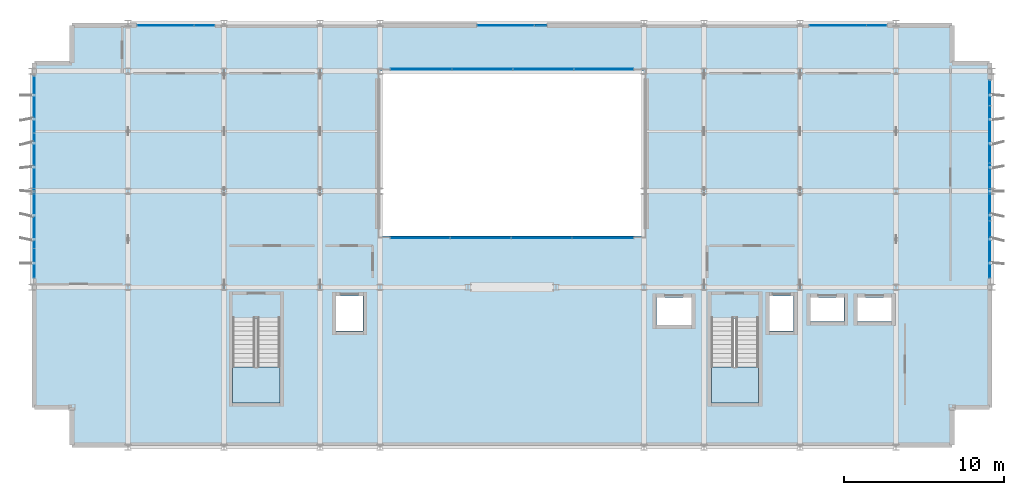
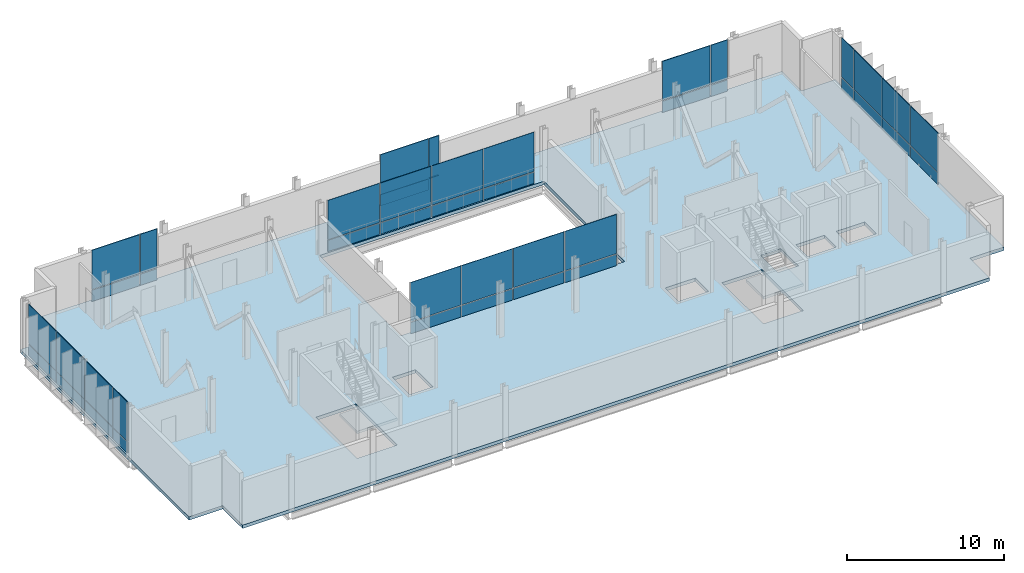
# One storey, part 24 of 33: 44 plates, 3 slabs, 1 member, 9 elements without a shape of their own.
"""IFC4 building model written with IfcOpenShell, lengths in metres."""

from ifc_helpers import new_model, si_unit, direction, frame, origin, origin_2d, place, context, subcontext, project, spatial, polyline, rectangle, hollow_rectangle, outline, extrude, material, layer, layer_set, material_profile, profile_set, type_object, element, aggregate, save


model = new_model("IFC4")

# Units and contexts
model_context = context("Model", 3, precision=1e-05, world=origin(), true_north=direction((0.0, 1.0)))
body_context = subcontext(model_context, "Body", "Model", "MODEL_VIEW")
ifc_project = project(units=[si_unit("LENGTHUNIT", "METRE"), si_unit("AREAUNIT", "SQUARE_METRE"), si_unit("VOLUMEUNIT", "CUBIC_METRE"), si_unit("PLANEANGLEUNIT", "RADIAN"), si_unit("MASSUNIT", "GRAM", prefix="KILO")], contexts=[model_context])

# Site, building, storey
site_placement = place(None, origin())
site = spatial("IfcSite", under=ifc_project, at=site_placement, CompositionType="ELEMENT")
building_placement = place(site_placement, origin())
building = spatial("IfcBuilding", under=site, at=building_placement, Name="Brevholm Reach", CompositionType="ELEMENT")
storey_placement = place(building_placement, frame((0.0, 0.0, 179.0)))
storey = spatial("IfcBuildingStorey", under=building, at=storey_placement, Name="L54", CompositionType="ELEMENT", Elevation=179.0)

# Curtain wall, member
ifc_material_1 = material(Name="Dark Anodised Aluminium 6063-T6 and Solar-Control Glass", Category="aluminium")
ifc_layer_1 = layer(ifc_material_1, 0.1201171875)
ifc_layer_set_1 = layer_set([ifc_layer_1], Name="Dark Anodised Aluminium 6063-T6 and Solar-Control Glass")
curtain_wall_type_1 = type_object("IfcCurtainWallType", Name="CW-06", PredefinedType="NOTDEFINED", material=ifc_layer_set_1)
curtain_wall_1_placement = place(storey_placement, origin())
curtain_wall_1 = element("IfcCurtainWall", 1, at=curtain_wall_1_placement, inside=storey, type_object=curtain_wall_type_1, Name="L54 Curtain Wall CW-06", PredefinedType="NOTDEFINED")
ifc_material_2 = material(Name="Dark Anodised Aluminium 6063-T6", Category="aluminium")
ifc_material_profile = material_profile(ifc_material_2, hollow_rectangle(XDim=0.054931640625, YDim=0.1201171875, WallThickness=0.00390625, InnerFilletRadius=0.00390625, OuterFilletRadius=0.008056640625, at=origin_2d()), Name="RHS 120x55x4")
ifc_profile_set = profile_set([ifc_material_profile], Name="Dark Anodised Aluminium 6063-T6")
member_type = type_object("IfcMemberType", Name="CWT-120", PredefinedType="NOTDEFINED", material=ifc_profile_set)
member_placement = place(storey_placement, frame((31.427490234375, 26.35009765625, 0.89990234375), z_axis=(1.0, 0.0, 0.0), x_axis=(0.0, 0.0, 1.0)))
member = element("IfcMember", 2, at=member_placement, type_object=member_type, Name="CT-120 Transom 2.1", ObjectType="TRANSOM", PredefinedType="USERDEFINED", context=body_context, shape_type="SweptSolid", body=[
    extrude(hollow_rectangle(XDim=0.054931640625, YDim=0.1201171875, WallThickness=0.00390625, InnerFilletRadius=0.00390625, OuterFilletRadius=0.008056640625, at=origin_2d()), origin(), (0.0, 0.0, 1.0), 0.717529296875),
])

# Curtain wall, plates
ifc_material_3 = material(Name="Dark Anodised Aluminium 6063-T6 and Solar-Control Glass", Category="aluminium")
ifc_layer_2 = layer(ifc_material_3, 0.139892578125)
ifc_layer_set_2 = layer_set([ifc_layer_2], Name="Dark Anodised Aluminium 6063-T6 and Solar-Control Glass")
curtain_wall_type_2 = type_object("IfcCurtainWallType", Name="CW-02", PredefinedType="NOTDEFINED", material=ifc_layer_set_2)
curtain_wall_2_placement = place(storey_placement, origin())
curtain_wall_2 = element("IfcCurtainWall", 3, at=curtain_wall_2_placement, inside=storey, type_object=curtain_wall_type_2, Name="L54 Curtain Wall CW-02", PredefinedType="NOTDEFINED")
ifc_material_4 = material(Name="Low-Iron Laminated Acoustic Glass", Category="glass")
ifc_layer_3 = layer(ifc_material_4, 0.035888671875)
ifc_layer_set_3 = layer_set([ifc_layer_3], Name="Low-Iron Laminated Acoustic Glass")
plate_type_1 = type_object("IfcPlateType", Name="CWP-GLZ-36", PredefinedType="CURTAIN_PANEL", material=ifc_layer_set_3)
plate_1_placement = place(storey_placement, frame((24.264892578125, 13.080078125, 0.0), z_axis=(0.0, 0.0, 1.0), x_axis=(1.0, 0.0, 0.0)))
plate_1 = element("IfcPlate", 4, at=plate_1_placement, type_object=plate_type_1, Name="CP-02 Glazing Panel 1.1", PredefinedType="CURTAIN_PANEL", context=body_context, shape_type="SweptSolid", body=[
    extrude(rectangle(XDim=3.7099609375, YDim=0.035888671875, at=origin_2d()), origin(), (0.0, 0.0, 1.0), 0.8701171875),
])
plate_2_placement = place(storey_placement, frame((24.264892578125, 13.080078125, 0.929931640625), z_axis=(0.0, 0.0, 1.0), x_axis=(1.0, 0.0, 0.0)))
plate_2 = element("IfcPlate", 5, at=plate_2_placement, type_object=plate_type_1, Name="CP-02 Glazing Panel 1.2", PredefinedType="CURTAIN_PANEL", context=body_context, shape_type="SweptSolid", body=[
    extrude(rectangle(XDim=3.7099609375, YDim=0.035888671875, at=origin_2d()), origin(), (0.0, 0.0, 1.0), 3.06005859375),
])
plate_3_placement = place(storey_placement, frame((28.050048828125, 13.080078125, 0.0), z_axis=(0.0, 0.0, 1.0), x_axis=(1.0, 0.0, 0.0)))
plate_3 = element("IfcPlate", 6, at=plate_3_placement, type_object=plate_type_1, Name="CP-02 Glazing Panel 2.1", PredefinedType="CURTAIN_PANEL", context=body_context, shape_type="SweptSolid", body=[
    extrude(rectangle(XDim=3.739990234375, YDim=0.035888671875, at=origin_2d()), origin(), (0.0, 0.0, 1.0), 0.8701171875),
])
plate_4_placement = place(storey_placement, frame((28.050048828125, 13.080078125, 0.929931640625), z_axis=(0.0, 0.0, 1.0), x_axis=(1.0, 0.0, 0.0)))
plate_4 = element("IfcPlate", 7, at=plate_4_placement, type_object=plate_type_1, Name="CP-02 Glazing Panel 2.2", PredefinedType="CURTAIN_PANEL", context=body_context, shape_type="SweptSolid", body=[
    extrude(rectangle(XDim=3.739990234375, YDim=0.035888671875, at=origin_2d()), origin(), (0.0, 0.0, 1.0), 3.06005859375),
])
plate_5_placement = place(storey_placement, frame((31.85009765625, 13.080078125, 0.0), z_axis=(0.0, 0.0, 1.0), x_axis=(1.0, 0.0, 0.0)))
plate_5 = element("IfcPlate", 8, at=plate_5_placement, type_object=plate_type_1, Name="CP-02 Glazing Panel 3.1", PredefinedType="CURTAIN_PANEL", context=body_context, shape_type="SweptSolid", body=[
    extrude(rectangle(XDim=3.739990234375, YDim=0.035888671875, at=origin_2d()), origin(), (0.0, 0.0, 1.0), 0.8701171875),
])
plate_6_placement = place(storey_placement, frame((31.85009765625, 13.080078125, 0.929931640625), z_axis=(0.0, 0.0, 1.0), x_axis=(1.0, 0.0, 0.0)))
plate_6 = element("IfcPlate", 9, at=plate_6_placement, type_object=plate_type_1, Name="CP-02 Glazing Panel 3.2", PredefinedType="CURTAIN_PANEL", context=body_context, shape_type="SweptSolid", body=[
    extrude(rectangle(XDim=3.739990234375, YDim=0.035888671875, at=origin_2d()), origin(), (0.0, 0.0, 1.0), 3.06005859375),
])
plate_7_placement = place(storey_placement, frame((35.68505859375, 13.080078125, 0.0), z_axis=(0.0, 0.0, 1.0), x_axis=(1.0, 0.0, 0.0)))
plate_7 = element("IfcPlate", 10, at=plate_7_placement, type_object=plate_type_1, Name="CP-02 Glazing Panel 4.1", PredefinedType="CURTAIN_PANEL", context=body_context, shape_type="SweptSolid", body=[
    extrude(rectangle(XDim=3.81005859375, YDim=0.035888671875, at=origin_2d()), origin(), (0.0, 0.0, 1.0), 0.8701171875),
])
plate_8_placement = place(storey_placement, frame((35.68505859375, 13.080078125, 0.929931640625), z_axis=(0.0, 0.0, 1.0), x_axis=(1.0, 0.0, 0.0)))
plate_8 = element("IfcPlate", 11, at=plate_8_placement, type_object=plate_type_1, Name="CP-02 Glazing Panel 4.2", PredefinedType="CURTAIN_PANEL", context=body_context, shape_type="SweptSolid", body=[
    extrude(rectangle(XDim=3.81005859375, YDim=0.035888671875, at=origin_2d()), origin(), (0.0, 0.0, 1.0), 3.06005859375),
])
aggregate(curtain_wall_2, [plate_1, plate_2, plate_3, plate_4, plate_5, plate_6, plate_7, plate_8])

curtain_wall_3_placement = place(storey_placement, origin())
curtain_wall_3 = element("IfcCurtainWall", 12, at=curtain_wall_3_placement, inside=storey, type_object=curtain_wall_type_2, Name="L54 Curtain Wall CW-02", PredefinedType="NOTDEFINED")
plate_9_placement = place(storey_placement, frame((35.735107421875, 23.6201171875, 0.0), z_axis=(0.0, 0.0, 1.0), x_axis=(-1.0, 0.0, 0.0)))
plate_9 = element("IfcPlate", 13, at=plate_9_placement, type_object=plate_type_1, Name="CP-02 Glazing Panel 1.1", PredefinedType="CURTAIN_PANEL", context=body_context, shape_type="SweptSolid", body=[
    extrude(rectangle(XDim=3.7099609375, YDim=0.035888671875, at=origin_2d()), origin(), (0.0, 0.0, 1.0), 0.8701171875),
])
plate_10_placement = place(storey_placement, frame((35.735107421875, 23.6201171875, 0.929931640625), z_axis=(0.0, 0.0, 1.0), x_axis=(-1.0, 0.0, 0.0)))
plate_10 = element("IfcPlate", 14, at=plate_10_placement, type_object=plate_type_1, Name="CP-02 Glazing Panel 1.2", PredefinedType="CURTAIN_PANEL", context=body_context, shape_type="SweptSolid", body=[
    extrude(rectangle(XDim=3.7099609375, YDim=0.035888671875, at=origin_2d()), origin(), (0.0, 0.0, 1.0), 3.06005859375),
])
plate_11_placement = place(storey_placement, frame((31.949951171875, 23.6201171875, 0.0), z_axis=(0.0, 0.0, 1.0), x_axis=(-1.0, 0.0, 0.0)))
plate_11 = element("IfcPlate", 15, at=plate_11_placement, type_object=plate_type_1, Name="CP-02 Glazing Panel 2.1", PredefinedType="CURTAIN_PANEL", context=body_context, shape_type="SweptSolid", body=[
    extrude(rectangle(XDim=3.739990234375, YDim=0.035888671875, at=origin_2d()), origin(), (0.0, 0.0, 1.0), 0.8701171875),
])
plate_12_placement = place(storey_placement, frame((31.949951171875, 23.6201171875, 0.929931640625), z_axis=(0.0, 0.0, 1.0), x_axis=(-1.0, 0.0, 0.0)))
plate_12 = element("IfcPlate", 16, at=plate_12_placement, type_object=plate_type_1, Name="CP-02 Glazing Panel 2.2", PredefinedType="CURTAIN_PANEL", context=body_context, shape_type="SweptSolid", body=[
    extrude(rectangle(XDim=3.739990234375, YDim=0.035888671875, at=origin_2d()), origin(), (0.0, 0.0, 1.0), 3.06005859375),
])
plate_13_placement = place(storey_placement, frame((28.14990234375, 23.6201171875, 0.0), z_axis=(0.0, 0.0, 1.0), x_axis=(-1.0, 0.0, 0.0)))
plate_13 = element("IfcPlate", 17, at=plate_13_placement, type_object=plate_type_1, Name="CP-02 Glazing Panel 3.1", PredefinedType="CURTAIN_PANEL", context=body_context, shape_type="SweptSolid", body=[
    extrude(rectangle(XDim=3.739990234375, YDim=0.035888671875, at=origin_2d()), origin(), (0.0, 0.0, 1.0), 0.8701171875),
])
plate_14_placement = place(storey_placement, frame((28.14990234375, 23.6201171875, 0.929931640625), z_axis=(0.0, 0.0, 1.0), x_axis=(-1.0, 0.0, 0.0)))
plate_14 = element("IfcPlate", 18, at=plate_14_placement, type_object=plate_type_1, Name="CP-02 Glazing Panel 3.2", PredefinedType="CURTAIN_PANEL", context=body_context, shape_type="SweptSolid", body=[
    extrude(rectangle(XDim=3.739990234375, YDim=0.035888671875, at=origin_2d()), origin(), (0.0, 0.0, 1.0), 3.06005859375),
])
plate_15_placement = place(storey_placement, frame((24.31494140625, 23.6201171875, 0.0), z_axis=(0.0, 0.0, 1.0), x_axis=(-1.0, 0.0, 0.0)))
plate_15 = element("IfcPlate", 19, at=plate_15_placement, type_object=plate_type_1, Name="CP-02 Glazing Panel 4.1", PredefinedType="CURTAIN_PANEL", context=body_context, shape_type="SweptSolid", body=[
    extrude(rectangle(XDim=3.81005859375, YDim=0.035888671875, at=origin_2d()), origin(), (0.0, 0.0, 1.0), 0.8701171875),
])
plate_16_placement = place(storey_placement, frame((24.31494140625, 23.6201171875, 0.929931640625), z_axis=(0.0, 0.0, 1.0), x_axis=(-1.0, 0.0, 0.0)))
plate_16 = element("IfcPlate", 20, at=plate_16_placement, type_object=plate_type_1, Name="CP-02 Glazing Panel 4.2", PredefinedType="CURTAIN_PANEL", context=body_context, shape_type="SweptSolid", body=[
    extrude(rectangle(XDim=3.81005859375, YDim=0.035888671875, at=origin_2d()), origin(), (0.0, 0.0, 1.0), 3.06005859375),
])
aggregate(curtain_wall_3, [plate_9, plate_10, plate_11, plate_12, plate_13, plate_14, plate_15, plate_16])

curtain_wall_4_placement = place(storey_placement, origin())
curtain_wall_4 = element("IfcCurtainWall", 21, at=curtain_wall_4_placement, inside=storey, type_object=curtain_wall_type_1, Name="L54 Curtain Wall CW-06", PredefinedType="NOTDEFINED")
ifc_material_5 = material(Name="Champagne-Bronze Anodised Aluminium Acoustic Louvre", Category="aluminium")
ifc_layer_4 = layer(ifc_material_5, 0.052001953125)
ifc_layer_set_4 = layer_set([ifc_layer_4], Name="Champagne-Bronze Anodised Aluminium Acoustic Louvre")
plate_type_2 = type_object("IfcPlateType", Name="CWP-LVR-52", PredefinedType="CURTAIN_PANEL", material=ifc_layer_set_4)
plate_17_placement = place(storey_placement, frame((0.14990234375, 21.40625, 0.0), z_axis=(0.0, 0.0, 1.0), x_axis=(0.0, -1.0, 0.0)))
plate_17 = element("IfcPlate", 22, at=plate_17_placement, type_object=plate_type_2, Name="CP-04 Glazing Panel 1.1", PredefinedType="CURTAIN_PANEL", context=body_context, shape_type="SweptSolid", body=[
    extrude(rectangle(XDim=3.517578125, YDim=0.052001953125, at=origin_2d()), origin(), (0.0, 0.0, 1.0), 0.87255859375),
])
plate_18_placement = place(storey_placement, frame((0.14990234375, 21.40625, 0.927490234375), z_axis=(0.0, 0.0, 1.0), x_axis=(0.0, -1.0, 0.0)))
plate_18 = element("IfcPlate", 23, at=plate_18_placement, type_object=plate_type_2, Name="CP-04 Glazing Panel 1.2", PredefinedType="CURTAIN_PANEL", context=body_context, shape_type="SweptSolid", body=[
    extrude(rectangle(XDim=3.517578125, YDim=0.052001953125, at=origin_2d()), origin(), (0.0, 0.0, 1.0), 3.0625),
])
plate_19_placement = place(storey_placement, frame((0.14990234375, 17.820068359375, 0.0), z_axis=(0.0, 0.0, 1.0), x_axis=(0.0, -1.0, 0.0)))
plate_19 = element("IfcPlate", 24, at=plate_19_placement, type_object=plate_type_2, Name="CP-04 Glazing Panel 2.1", PredefinedType="CURTAIN_PANEL", context=body_context, shape_type="SweptSolid", body=[
    extrude(rectangle(XDim=3.544921875, YDim=0.052001953125, at=origin_2d()), origin(), (0.0, 0.0, 1.0), 0.87255859375),
])
plate_20_placement = place(storey_placement, frame((0.14990234375, 17.820068359375, 0.927490234375), z_axis=(0.0, 0.0, 1.0), x_axis=(0.0, -1.0, 0.0)))
plate_20 = element("IfcPlate", 25, at=plate_20_placement, type_object=plate_type_2, Name="CP-04 Glazing Panel 2.2", PredefinedType="CURTAIN_PANEL", context=body_context, shape_type="SweptSolid", body=[
    extrude(rectangle(XDim=3.544921875, YDim=0.052001953125, at=origin_2d()), origin(), (0.0, 0.0, 1.0), 3.0625),
])
plate_21_placement = place(storey_placement, frame((0.14990234375, 14.219970703125, 0.0), z_axis=(0.0, 0.0, 1.0), x_axis=(0.0, -1.0, 0.0)))
plate_21 = element("IfcPlate", 26, at=plate_21_placement, type_object=plate_type_2, Name="CP-04 Glazing Panel 3.1", PredefinedType="CURTAIN_PANEL", context=body_context, shape_type="SweptSolid", body=[
    extrude(rectangle(XDim=3.544921875, YDim=0.052001953125, at=origin_2d()), origin(), (0.0, 0.0, 1.0), 0.87255859375),
])
plate_22_placement = place(storey_placement, frame((0.14990234375, 14.219970703125, 0.927490234375), z_axis=(0.0, 0.0, 1.0), x_axis=(0.0, -1.0, 0.0)))
plate_22 = element("IfcPlate", 27, at=plate_22_placement, type_object=plate_type_2, Name="CP-04 Glazing Panel 3.2", PredefinedType="CURTAIN_PANEL", context=body_context, shape_type="SweptSolid", body=[
    extrude(rectangle(XDim=3.544921875, YDim=0.052001953125, at=origin_2d()), origin(), (0.0, 0.0, 1.0), 3.0625),
])
plate_23_placement = place(storey_placement, frame((0.14990234375, 11.498779296875, 0.0), z_axis=(0.0, 0.0, 1.0), x_axis=(0.0, -1.0, 0.0)))
plate_23 = element("IfcPlate", 28, at=plate_23_placement, type_object=plate_type_2, Name="CP-04 Glazing Panel 4.1", PredefinedType="CURTAIN_PANEL", context=body_context, shape_type="SweptSolid", body=[
    extrude(rectangle(XDim=1.78759765625, YDim=0.052001953125, at=origin_2d()), origin(), (0.0, 0.0, 1.0), 0.87255859375),
])
plate_24_placement = place(storey_placement, frame((0.14990234375, 11.498779296875, 0.927490234375), z_axis=(0.0, 0.0, 1.0), x_axis=(0.0, -1.0, 0.0)))
plate_24 = element("IfcPlate", 29, at=plate_24_placement, type_object=plate_type_2, Name="CP-04 Glazing Panel 4.2", PredefinedType="CURTAIN_PANEL", context=body_context, shape_type="SweptSolid", body=[
    extrude(rectangle(XDim=1.78759765625, YDim=0.052001953125, at=origin_2d()), origin(), (0.0, 0.0, 1.0), 3.0625),
])
aggregate(curtain_wall_4, [plate_17, plate_18, plate_19, plate_20, plate_21, plate_22, plate_23, plate_24])

curtain_wall_5_placement = place(storey_placement, origin())
curtain_wall_5 = element("IfcCurtainWall", 30, at=curtain_wall_5_placement, inside=storey, type_object=curtain_wall_type_1, Name="L54 Curtain Wall CW-06", PredefinedType="NOTDEFINED")
plate_25_placement = place(storey_placement, frame((59.85009765625, 12.36376953125, 0.0), z_axis=(0.0, 0.0, 1.0), x_axis=(0.0, 1.0, 0.0)))
plate_25 = element("IfcPlate", 31, at=plate_25_placement, type_object=plate_type_2, Name="CP-04 Glazing Panel 1.1", PredefinedType="CURTAIN_PANEL", context=body_context, shape_type="SweptSolid", body=[
    extrude(rectangle(XDim=3.517578125, YDim=0.052001953125, at=origin_2d()), origin(), (0.0, 0.0, 1.0), 0.87255859375),
])
plate_26_placement = place(storey_placement, frame((59.85009765625, 12.36376953125, 0.927490234375), z_axis=(0.0, 0.0, 1.0), x_axis=(0.0, 1.0, 0.0)))
plate_26 = element("IfcPlate", 32, at=plate_26_placement, type_object=plate_type_2, Name="CP-04 Glazing Panel 1.2", PredefinedType="CURTAIN_PANEL", context=body_context, shape_type="SweptSolid", body=[
    extrude(rectangle(XDim=3.517578125, YDim=0.052001953125, at=origin_2d()), origin(), (0.0, 0.0, 1.0), 3.0625),
])
plate_27_placement = place(storey_placement, frame((59.85009765625, 15.949951171875, 0.0), z_axis=(0.0, 0.0, 1.0), x_axis=(0.0, 1.0, 0.0)))
plate_27 = element("IfcPlate", 33, at=plate_27_placement, type_object=plate_type_2, Name="CP-04 Glazing Panel 2.1", PredefinedType="CURTAIN_PANEL", context=body_context, shape_type="SweptSolid", body=[
    extrude(rectangle(XDim=3.544921875, YDim=0.052001953125, at=origin_2d()), origin(), (0.0, 0.0, 1.0), 0.87255859375),
])
plate_28_placement = place(storey_placement, frame((59.85009765625, 15.949951171875, 0.927490234375), z_axis=(0.0, 0.0, 1.0), x_axis=(0.0, 1.0, 0.0)))
plate_28 = element("IfcPlate", 34, at=plate_28_placement, type_object=plate_type_2, Name="CP-04 Glazing Panel 2.2", PredefinedType="CURTAIN_PANEL", context=body_context, shape_type="SweptSolid", body=[
    extrude(rectangle(XDim=3.544921875, YDim=0.052001953125, at=origin_2d()), origin(), (0.0, 0.0, 1.0), 3.0625),
])
plate_29_placement = place(storey_placement, frame((59.85009765625, 19.550048828125, 0.0), z_axis=(0.0, 0.0, 1.0), x_axis=(0.0, 1.0, 0.0)))
plate_29 = element("IfcPlate", 35, at=plate_29_placement, type_object=plate_type_2, Name="CP-04 Glazing Panel 3.1", PredefinedType="CURTAIN_PANEL", context=body_context, shape_type="SweptSolid", body=[
    extrude(rectangle(XDim=3.544921875, YDim=0.052001953125, at=origin_2d()), origin(), (0.0, 0.0, 1.0), 0.87255859375),
])
plate_30_placement = place(storey_placement, frame((59.85009765625, 19.550048828125, 0.927490234375), z_axis=(0.0, 0.0, 1.0), x_axis=(0.0, 1.0, 0.0)))
plate_30 = element("IfcPlate", 36, at=plate_30_placement, type_object=plate_type_2, Name="CP-04 Glazing Panel 3.2", PredefinedType="CURTAIN_PANEL", context=body_context, shape_type="SweptSolid", body=[
    extrude(rectangle(XDim=3.544921875, YDim=0.052001953125, at=origin_2d()), origin(), (0.0, 0.0, 1.0), 3.0625),
])
plate_31_placement = place(storey_placement, frame((59.85009765625, 22.13623046875, 0.0), z_axis=(0.0, 0.0, 1.0), x_axis=(0.0, 1.0, 0.0)))
plate_31 = element("IfcPlate", 37, at=plate_31_placement, type_object=plate_type_2, Name="CP-04 Glazing Panel 4.1", PredefinedType="CURTAIN_PANEL", context=body_context, shape_type="SweptSolid", body=[
    extrude(rectangle(XDim=1.517578125, YDim=0.052001953125, at=origin_2d()), origin(), (0.0, 0.0, 1.0), 0.87255859375),
])
plate_32_placement = place(storey_placement, frame((59.85009765625, 22.13623046875, 0.927490234375), z_axis=(0.0, 0.0, 1.0), x_axis=(0.0, 1.0, 0.0)))
plate_32 = element("IfcPlate", 38, at=plate_32_placement, type_object=plate_type_2, Name="CP-04 Glazing Panel 4.2", PredefinedType="CURTAIN_PANEL", context=body_context, shape_type="SweptSolid", body=[
    extrude(rectangle(XDim=1.517578125, YDim=0.052001953125, at=origin_2d()), origin(), (0.0, 0.0, 1.0), 3.0625),
])
aggregate(curtain_wall_5, [plate_25, plate_26, plate_27, plate_28, plate_29, plate_30, plate_31, plate_32])

curtain_wall_6_placement = place(storey_placement, origin())
curtain_wall_6 = element("IfcCurtainWall", 39, at=curtain_wall_6_placement, inside=storey, type_object=curtain_wall_type_1, Name="L54 Curtain Wall CW-06", PredefinedType="NOTDEFINED")
plate_33_placement = place(storey_placement, frame((8.36376953125, 26.35009765625, 0.0), z_axis=(0.0, 0.0, 1.0), x_axis=(1.0, 0.0, 0.0)))
plate_33 = element("IfcPlate", 40, at=plate_33_placement, type_object=plate_type_2, Name="CP-04 Glazing Panel 1.1", PredefinedType="CURTAIN_PANEL", context=body_context, shape_type="SweptSolid", body=[
    extrude(rectangle(XDim=3.517578125, YDim=0.052001953125, at=origin_2d()), origin(), (0.0, 0.0, 1.0), 0.87255859375),
])
plate_34_placement = place(storey_placement, frame((8.36376953125, 26.35009765625, 0.927490234375), z_axis=(0.0, 0.0, 1.0), x_axis=(1.0, 0.0, 0.0)))
plate_34 = element("IfcPlate", 41, at=plate_34_placement, type_object=plate_type_2, Name="CP-04 Glazing Panel 1.2", PredefinedType="CURTAIN_PANEL", context=body_context, shape_type="SweptSolid", body=[
    extrude(rectangle(XDim=3.517578125, YDim=0.052001953125, at=origin_2d()), origin(), (0.0, 0.0, 1.0), 3.0625),
])
plate_35_placement = place(storey_placement, frame((10.7861328125, 26.35009765625, 0.0), z_axis=(0.0, 0.0, 1.0), x_axis=(1.0, 0.0, 0.0)))
plate_35 = element("IfcPlate", 42, at=plate_35_placement, type_object=plate_type_2, Name="CP-04 Glazing Panel 2.1", PredefinedType="CURTAIN_PANEL", context=body_context, shape_type="SweptSolid", body=[
    extrude(rectangle(XDim=1.217529296875, YDim=0.052001953125, at=origin_2d()), origin(), (0.0, 0.0, 1.0), 0.87255859375),
])
plate_36_placement = place(storey_placement, frame((10.7861328125, 26.35009765625, 0.927490234375), z_axis=(0.0, 0.0, 1.0), x_axis=(1.0, 0.0, 0.0)))
plate_36 = element("IfcPlate", 43, at=plate_36_placement, type_object=plate_type_2, Name="CP-04 Glazing Panel 2.2", PredefinedType="CURTAIN_PANEL", context=body_context, shape_type="SweptSolid", body=[
    extrude(rectangle(XDim=1.217529296875, YDim=0.052001953125, at=origin_2d()), origin(), (0.0, 0.0, 1.0), 3.0625),
])
aggregate(curtain_wall_6, [plate_33, plate_34, plate_35, plate_36])

# Plate
plate_37_placement = place(storey_placement, frame((29.61376953125, 26.35009765625, 0.0), z_axis=(0.0, 0.0, 1.0), x_axis=(1.0, 0.0, 0.0)))
plate_37 = element("IfcPlate", 44, at=plate_37_placement, type_object=plate_type_2, Name="CP-04 Glazing Panel 1.1", PredefinedType="CURTAIN_PANEL", context=body_context, shape_type="SweptSolid", body=[
    extrude(rectangle(XDim=3.517578125, YDim=0.052001953125, at=origin_2d()), origin(), (0.0, 0.0, 1.0), 0.87255859375),
])

plate_38_placement = place(storey_placement, frame((29.61376953125, 26.35009765625, 0.927490234375), z_axis=(0.0, 0.0, 1.0), x_axis=(1.0, 0.0, 0.0)))
plate_38 = element("IfcPlate", 45, at=plate_38_placement, type_object=plate_type_2, Name="CP-04 Glazing Panel 1.2", PredefinedType="CURTAIN_PANEL", context=body_context, shape_type="SweptSolid", body=[
    extrude(rectangle(XDim=3.517578125, YDim=0.052001953125, at=origin_2d()), origin(), (0.0, 0.0, 1.0), 3.0625),
])

plate_39_placement = place(storey_placement, frame((31.7861328125, 26.35009765625, 0.0), z_axis=(0.0, 0.0, 1.0), x_axis=(1.0, 0.0, 0.0)))
plate_39 = element("IfcPlate", 46, at=plate_39_placement, type_object=plate_type_2, Name="CP-04 Glazing Panel 2.1", PredefinedType="CURTAIN_PANEL", context=body_context, shape_type="SweptSolid", body=[
    extrude(rectangle(XDim=0.717529296875, YDim=0.052001953125, at=origin_2d()), origin(), (0.0, 0.0, 1.0), 0.87255859375),
])

plate_40_placement = place(storey_placement, frame((31.7861328125, 26.35009765625, 0.927490234375), z_axis=(0.0, 0.0, 1.0), x_axis=(1.0, 0.0, 0.0)))
plate_40 = element("IfcPlate", 47, at=plate_40_placement, type_object=plate_type_2, Name="CP-04 Glazing Panel 2.2", PredefinedType="CURTAIN_PANEL", context=body_context, shape_type="SweptSolid", body=[
    extrude(rectangle(XDim=0.717529296875, YDim=0.052001953125, at=origin_2d()), origin(), (0.0, 0.0, 1.0), 3.0625),
])

aggregate(curtain_wall_1, [plate_37, plate_38, member, plate_39, plate_40])

# Curtain wall, plates
curtain_wall_7_placement = place(storey_placement, origin())
curtain_wall_7 = element("IfcCurtainWall", 48, at=curtain_wall_7_placement, inside=storey, type_object=curtain_wall_type_1, Name="L54 Curtain Wall CW-06", PredefinedType="NOTDEFINED")
plate_41_placement = place(storey_placement, frame((50.36376953125, 26.35009765625, 0.0), z_axis=(0.0, 0.0, 1.0), x_axis=(1.0, 0.0, 0.0)))
plate_41 = element("IfcPlate", 49, at=plate_41_placement, type_object=plate_type_2, Name="CP-04 Glazing Panel 1.1", PredefinedType="CURTAIN_PANEL", context=body_context, shape_type="SweptSolid", body=[
    extrude(rectangle(XDim=3.517578125, YDim=0.052001953125, at=origin_2d()), origin(), (0.0, 0.0, 1.0), 0.87255859375),
])
plate_42_placement = place(storey_placement, frame((50.36376953125, 26.35009765625, 0.927490234375), z_axis=(0.0, 0.0, 1.0), x_axis=(1.0, 0.0, 0.0)))
plate_42 = element("IfcPlate", 50, at=plate_42_placement, type_object=plate_type_2, Name="CP-04 Glazing Panel 1.2", PredefinedType="CURTAIN_PANEL", context=body_context, shape_type="SweptSolid", body=[
    extrude(rectangle(XDim=3.517578125, YDim=0.052001953125, at=origin_2d()), origin(), (0.0, 0.0, 1.0), 3.0625),
])
plate_43_placement = place(storey_placement, frame((52.7861328125, 26.35009765625, 0.0), z_axis=(0.0, 0.0, 1.0), x_axis=(1.0, 0.0, 0.0)))
plate_43 = element("IfcPlate", 51, at=plate_43_placement, type_object=plate_type_2, Name="CP-04 Glazing Panel 2.1", PredefinedType="CURTAIN_PANEL", context=body_context, shape_type="SweptSolid", body=[
    extrude(rectangle(XDim=1.217529296875, YDim=0.052001953125, at=origin_2d()), origin(), (0.0, 0.0, 1.0), 0.87255859375),
])
plate_44_placement = place(storey_placement, frame((52.7861328125, 26.35009765625, 0.927490234375), z_axis=(0.0, 0.0, 1.0), x_axis=(1.0, 0.0, 0.0)))
plate_44 = element("IfcPlate", 52, at=plate_44_placement, type_object=plate_type_2, Name="CP-04 Glazing Panel 2.2", PredefinedType="CURTAIN_PANEL", context=body_context, shape_type="SweptSolid", body=[
    extrude(rectangle(XDim=1.217529296875, YDim=0.052001953125, at=origin_2d()), origin(), (0.0, 0.0, 1.0), 3.0625),
])
aggregate(curtain_wall_7, [plate_41, plate_42, plate_43, plate_44])

# Slab
ifc_material_6 = material(Name="Concrete C40/50", Category="concrete")
ifc_layer_5 = layer(ifc_material_6, 0.260009765625)
ifc_layer_set_5 = layer_set([ifc_layer_5], Name="Concrete C40/50")
slab_type_1 = type_object("IfcSlabType", Name="SLB-FL-260", PredefinedType="FLOOR", material=ifc_layer_set_5)
slab_1_placement = place(storey_placement, frame((0.0, 0.0, -0.260009765625)))
element("IfcSlab", 53, at=slab_1_placement, inside=storey, type_object=slab_type_1, Name="L54 Suspended Floor Slab (main)", PredefinedType="FLOOR", context=body_context, shape_type="SweptSolid", body=[
    extrude(outline(polyline([(2.5, 0.0), (57.5, 0.0), (57.5, 2.5), (60.0, 2.5), (60.0, 24.0), (57.5, 24.0), (57.5, 26.5), (2.5, 26.5), (2.5, 24.0), (0.0, 24.0), (0.0, 2.5), (2.5, 2.5), (2.5, 0.0)]), holes=[polyline([(21.75, 13.199951171875), (38.25, 13.199951171875), (38.25, 23.5), (21.75, 23.5), (21.75, 13.199951171875)]), polyline([(12.550048828125, 2.780029296875), (15.5, 2.780029296875), (15.5, 8.044921875), (12.550048828125, 8.044921875), (12.550048828125, 2.780029296875)]), polyline([(42.449951171875, 2.780029296875), (45.39990234375, 2.780029296875), (45.39990234375, 8.044921875), (42.449951171875, 8.044921875), (42.449951171875, 2.780029296875)]), polyline([(19.0, 7.25), (20.699951171875, 7.25), (20.699951171875, 9.449951171875), (19.0, 9.449951171875), (19.0, 7.25)]), polyline([(46.10009765625, 7.25), (47.60009765625, 7.25), (47.60009765625, 9.449951171875), (46.10009765625, 9.449951171875), (46.10009765625, 7.25)]), polyline([(39.02001953125, 7.64990234375), (41.219970703125, 7.64990234375), (41.219970703125, 9.35009765625), (39.02001953125, 9.35009765625), (39.02001953125, 7.64990234375)]), polyline([(48.64990234375, 7.85009765625), (50.75, 7.85009765625), (50.75, 9.35009765625), (48.64990234375, 9.35009765625), (48.64990234375, 7.85009765625)]), polyline([(51.60009765625, 7.85009765625), (53.699951171875, 7.85009765625), (53.699951171875, 9.35009765625), (51.60009765625, 9.35009765625), (51.60009765625, 7.85009765625)])]), origin(), (0.0, 0.0, 1.0), 0.260009765625),
])

# Stair, slab
ifc_material_7 = material(Name="Precast Concrete C40/50", Category="concrete")
stair_type = type_object("IfcStairType", Name="STR-ESC-1400", PredefinedType="DOUBLE_RETURN_STAIR", material=ifc_material_7)
stair_1_placement = place(storey_placement, origin())
stair_1 = element("IfcStair", 54, at=stair_1_placement, inside=storey, type_object=stair_type, Name="L54 ST-1", PredefinedType="DOUBLE_RETURN_STAIR")
ifc_material_8 = material(Name="Concrete C40/50", Category="concrete")
ifc_layer_6 = layer(ifc_material_8, 0.199951171875)
ifc_layer_set_6 = layer_set([ifc_layer_6], Name="Concrete C40/50")
slab_type_2 = type_object("IfcSlabType", Name="SLB-LND-200", PredefinedType="LANDING", material=ifc_layer_set_6)
slab_2_placement = place(storey_placement, frame((0.0, 0.0, 1.89990234375)))
slab_2 = element("IfcSlab", 55, at=slab_2_placement, type_object=slab_type_2, Name="ST-1 landing 1", PredefinedType="LANDING", context=body_context, shape_type="SweptSolid", body=[
    extrude(outline(polyline([(12.550048828125, 5.02001953125), (12.550048828125, 2.780029296875), (15.5, 2.780029296875), (15.5, 5.02001953125), (12.550048828125, 5.02001953125)])), origin(), (0.0, 0.0, 1.0), 0.2001953125),
])
aggregate(stair_1, [slab_2])

stair_2_placement = place(storey_placement, origin())
stair_2 = element("IfcStair", 56, at=stair_2_placement, inside=storey, type_object=stair_type, Name="L54 ST-2", PredefinedType="DOUBLE_RETURN_STAIR")
slab_3_placement = place(storey_placement, frame((0.0, 0.0, 1.89990234375)))
slab_3 = element("IfcSlab", 57, at=slab_3_placement, type_object=slab_type_2, Name="ST-2 landing 1", PredefinedType="LANDING", context=body_context, shape_type="SweptSolid", body=[
    extrude(outline(polyline([(42.449951171875, 5.02001953125), (42.449951171875, 2.780029296875), (45.39990234375, 2.780029296875), (45.39990234375, 5.02001953125), (42.449951171875, 5.02001953125)])), origin(), (0.0, 0.0, 1.0), 0.2001953125),
])
aggregate(stair_2, [slab_3])

save(model, "model.ifc")
